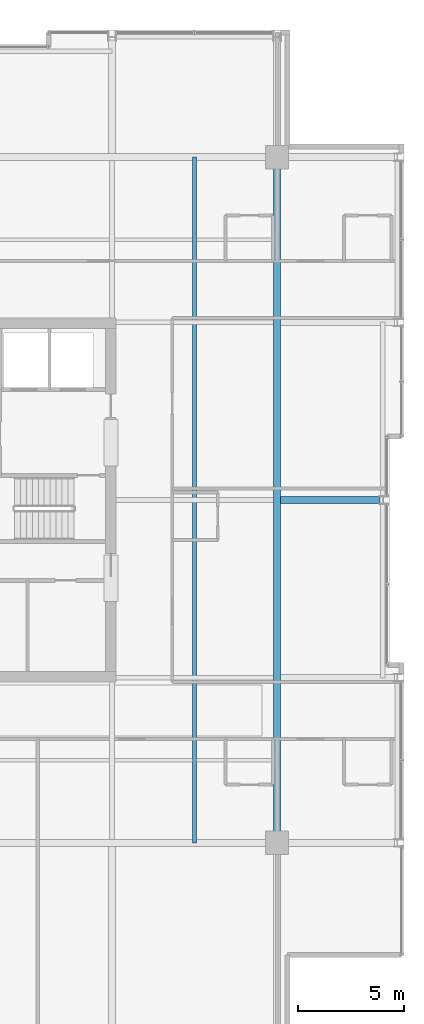
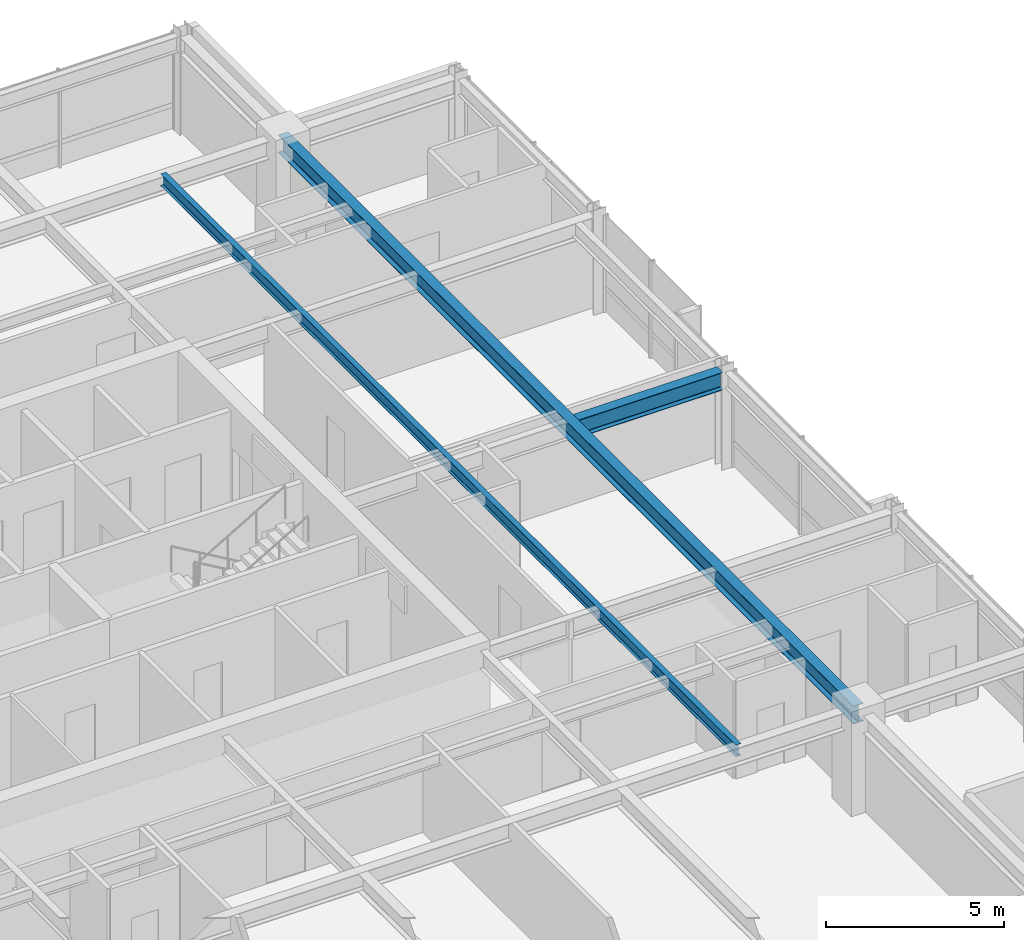
# One storey, part 16 of 32: 3 beams.
"""IFC4 building model written with IfcOpenShell, lengths in metres."""

from ifc_helpers import new_model, si_unit, direction, frame, origin, origin_2d, place, context, subcontext, project, spatial, i_section, extrude, material, material_profile, profile_set, type_object, element, save


model = new_model("IFC4")

# Units and contexts
model_context = context("Model", 3, precision=1e-05, world=origin(), true_north=direction((0.0, 1.0)))
body_context = subcontext(model_context, "Body", "Model", "MODEL_VIEW")
ifc_project = project(units=[si_unit("LENGTHUNIT", "METRE"), si_unit("AREAUNIT", "SQUARE_METRE"), si_unit("VOLUMEUNIT", "CUBIC_METRE"), si_unit("PLANEANGLEUNIT", "RADIAN"), si_unit("MASSUNIT", "GRAM", prefix="KILO")], contexts=[model_context])

# Site, building, storey
site_placement = place(None, origin())
site = spatial("IfcSite", under=ifc_project, at=site_placement, CompositionType="ELEMENT")
building_placement = place(site_placement, origin())
building = spatial("IfcBuilding", under=site, at=building_placement, Name="Drelvath Grand Hotel", CompositionType="ELEMENT")
storey_placement = place(building_placement, frame((0.0, 0.0, 223.10009765625)))
storey = spatial("IfcBuildingStorey", under=building, at=storey_placement, Name="L58", CompositionType="ELEMENT", Elevation=223.10009765625)

# Beams
ifc_material = material(Name="Steel ASTM A992 Gr 50", Category="steel")
ifc_material_profile_1 = material_profile(ifc_material, i_section(OverallWidth=0.177734375, OverallDepth=0.40673828125, WebThickness=0.0078125, FlangeThickness=0.0126953125, FilletRadius=0.014892578125, at=origin_2d()), Name="W16X40")
ifc_profile_set_1 = profile_set([ifc_material_profile_1], Name="Steel ASTM A992 Gr 50")
beam_type_1 = type_object("IfcBeamType", Name="Composite Floor Joist W16X40", PredefinedType="JOIST", material=ifc_profile_set_1)
beam_1_placement = place(storey_placement, frame((12.300048828125, 10.800048828125, 3.136474609375), z_axis=(0.0, 1.0, 0.0), x_axis=(-1.0, 0.0, 0.0)))
element("IfcBeam", 1, at=beam_1_placement, inside=storey, type_object=beam_type_1, Name="L58 Wing Floor Joist J4", PredefinedType="JOIST", context=body_context, shape_type="SweptSolid", body=[
    extrude(i_section(OverallWidth=0.177734375, OverallDepth=0.40673828125, WebThickness=0.0078125, FlangeThickness=0.0126953125, FilletRadius=0.014892578125, at=origin_2d()), origin(), (0.0, 0.0, 1.0), 32.39990234375),
])
ifc_material_profile_2 = material_profile(ifc_material, i_section(OverallWidth=0.323974609375, OverallDepth=0.611083984375, WebThickness=0.0126953125, FlangeThickness=0.01904296875, FilletRadius=0.02197265625, at=origin_2d()), Name="W24X104")
ifc_profile_set_2 = profile_set([ifc_material_profile_2], Name="Steel ASTM A992 Gr 50")
beam_type_2 = type_object("IfcBeamType", Name="Primary Floor Girder W24X104", PredefinedType="BEAM", material=ifc_profile_set_2)
beam_2_placement = place(storey_placement, frame((16.199951171875, 10.800048828125, 3.034423828125), z_axis=(0.0, 1.0, 0.0), x_axis=(-1.0, 0.0, 0.0)))
element("IfcBeam", 2, at=beam_2_placement, inside=storey, type_object=beam_type_2, Name="L58 Mega Ring Girder East", PredefinedType="BEAM", context=body_context, shape_type="SweptSolid", body=[
    extrude(i_section(OverallWidth=0.323974609375, OverallDepth=0.611083984375, WebThickness=0.0126953125, FlangeThickness=0.01904296875, FilletRadius=0.02197265625, at=origin_2d()), origin(), (0.0, 0.0, 1.0), 32.39990234375),
])
beam_3_placement = place(storey_placement, frame((16.362060546875, 27.0, 3.034423828125), z_axis=(1.0, 0.0, 0.0), x_axis=(0.0, 1.0, 0.0)))
element("IfcBeam", 3, at=beam_3_placement, inside=storey, type_object=beam_type_2, Name="L58 East Wing Girder E", PredefinedType="BEAM", context=body_context, shape_type="SweptSolid", body=[
    extrude(i_section(OverallWidth=0.323974609375, OverallDepth=0.611083984375, WebThickness=0.0126953125, FlangeThickness=0.01904296875, FilletRadius=0.02197265625, at=origin_2d()), origin(), (0.0, 0.0, 1.0), 4.697998046875),
])

save(model, "model.ifc")
